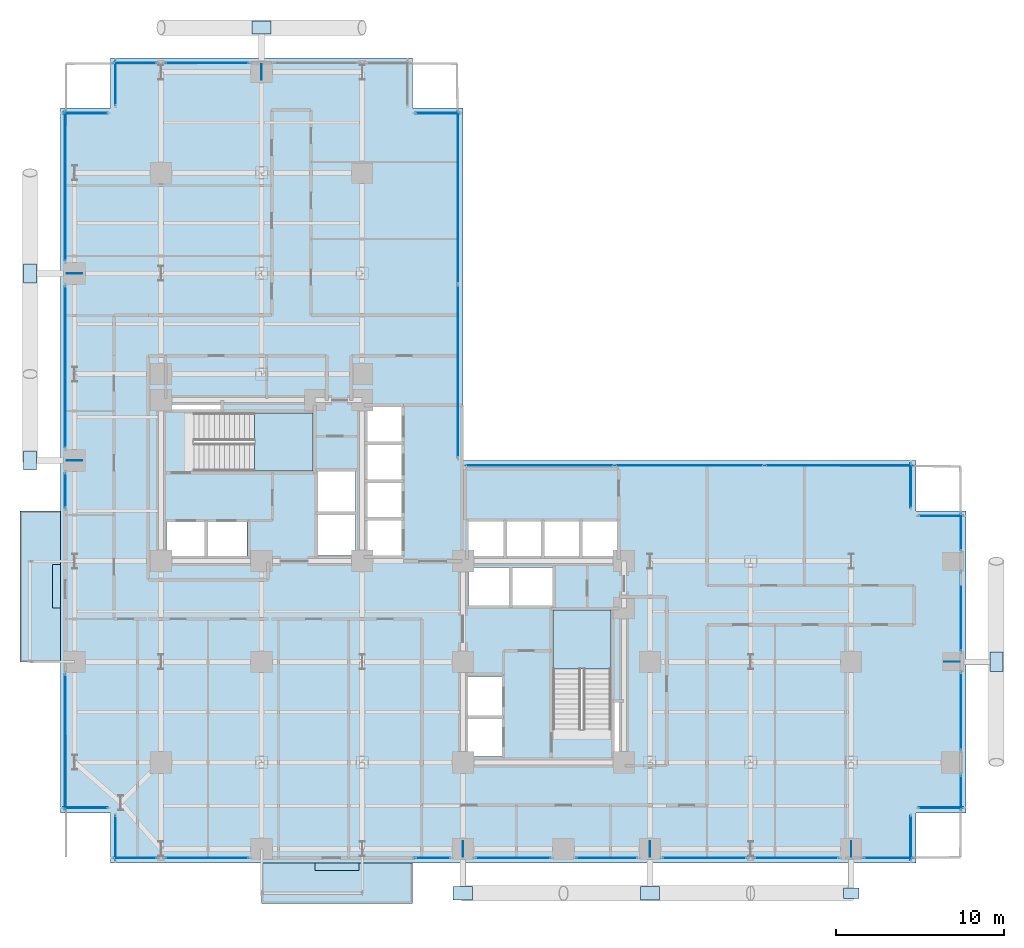
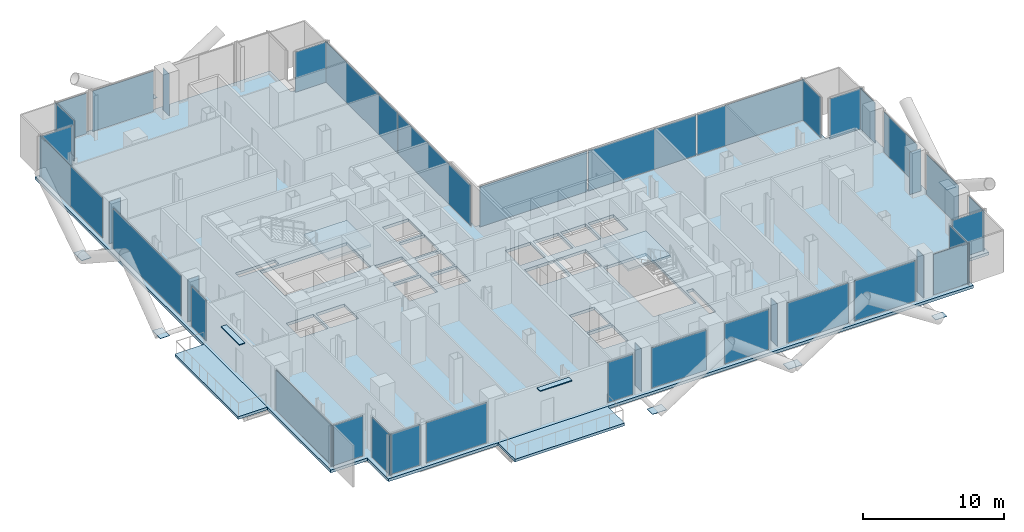
# One storey, part 17 of 25: 48 plates, 5 slabs, 31 elements without a shape of their own.
"""IFC4 building model written with IfcOpenShell, lengths in metres."""

from ifc_helpers import new_model, si_unit, direction, frame, origin, origin_2d, place, context, subcontext, project, spatial, polyline, rectangle, outline, extrude, material, layer, layer_set, type_object, element, aggregate, save


model = new_model("IFC4")

# Units and contexts
model_context = context("Model", 3, precision=1e-05, world=origin(), true_north=direction((0.0, 1.0)))
body_context = subcontext(model_context, "Body", "Model", "MODEL_VIEW")
ifc_project = project(units=[si_unit("LENGTHUNIT", "METRE"), si_unit("AREAUNIT", "SQUARE_METRE"), si_unit("VOLUMEUNIT", "CUBIC_METRE"), si_unit("PLANEANGLEUNIT", "RADIAN"), si_unit("MASSUNIT", "GRAM", prefix="KILO"), si_unit("THERMODYNAMICTEMPERATUREUNIT", "KELVIN"), si_unit("POWERUNIT", "WATT")], contexts=[model_context])

# Site, building, storey
site_placement = place(None, origin())
site = spatial("IfcSite", under=ifc_project, at=site_placement, CompositionType="ELEMENT")
building_placement = place(site_placement, origin())
building = spatial("IfcBuilding", under=site, at=building_placement, Name="Svarakhadi Broadcast Tower", CompositionType="ELEMENT")
storey_placement = place(building_placement, frame((0.0, 0.0, 51.89990234375)))
storey = spatial("IfcBuildingStorey", under=building, at=storey_placement, Name="L11", CompositionType="ELEMENT", Elevation=51.89990234375)

# Curtain wall, plate
ifc_material_1 = material(Name="Anodised Bronze Aluminium AA 6063-T6", Category="aluminium")
ifc_layer_1 = layer(ifc_material_1, 0.219970703125)
ifc_layer_set_1 = layer_set([ifc_layer_1], Name="Anodised Bronze Aluminium AA 6063-T6")
curtain_wall_type = type_object("IfcCurtainWallType", Name="CW_Sys_02", PredefinedType="NOTDEFINED", material=ifc_layer_set_1)
curtain_wall_1_placement = place(storey_placement, origin())
curtain_wall_1 = element("IfcCurtainWall", 1, at=curtain_wall_1_placement, inside=storey, type_object=curtain_wall_type, Name="L11 Unitised Facade Curtain Wall 01", PredefinedType="NOTDEFINED")
ifc_material_2 = material(Name="Double Low-E Laminated Acoustic Glass IGU 36 mm", Category="glass")
ifc_layer_2 = layer(ifc_material_2, 0.035888671875)
ifc_layer_set_2 = layer_set([ifc_layer_2], Name="Double Low-E Laminated Acoustic Glass IGU 36 mm")
plate_type_1 = type_object("IfcPlateType", Name="CW_Sys_02_Pnl", PredefinedType="CURTAIN_PANEL", material=ifc_layer_set_2)
plate_1_placement = place(storey_placement, frame((1.5, 3.300048828125, 0.0751953125), z_axis=(0.0, 0.0, 1.0), x_axis=(-1.0, 0.0, 0.0)))
plate_1 = element("IfcPlate", 2, at=plate_1_placement, type_object=plate_type_1, Name="CW-02 panel 1.1", PredefinedType="CURTAIN_PANEL", context=body_context, shape_type="SweptSolid", body=[
    extrude(rectangle(XDim=2.64990234375, YDim=0.035888671875, at=origin_2d()), origin(), (0.0, 0.0, 1.0), 3.5),
])
aggregate(curtain_wall_1, [plate_1])

curtain_wall_2_placement = place(storey_placement, origin())
curtain_wall_2 = element("IfcCurtainWall", 3, at=curtain_wall_2_placement, inside=storey, type_object=curtain_wall_type, Name="L11 West Curtain Wall 02", PredefinedType="NOTDEFINED")
plate_2_placement = place(storey_placement, frame((0.300048828125, 7.2099609375, 0.0751953125), z_axis=(0.0, 0.0, 1.0), x_axis=(0.0, 1.0, 0.0)))
plate_2 = element("IfcPlate", 4, at=plate_2_placement, type_object=plate_type_1, Name="CW-02 panel 1.1", PredefinedType="CURTAIN_PANEL", context=body_context, shape_type="SweptSolid", body=[
    extrude(rectangle(XDim=8.070068359375, YDim=0.035888671875, at=origin_2d()), origin(), (0.0, 0.0, 1.0), 3.5),
])
aggregate(curtain_wall_2, [plate_2])

curtain_wall_3_placement = place(storey_placement, origin())
curtain_wall_3 = element("IfcCurtainWall", 5, at=curtain_wall_3_placement, inside=storey, type_object=curtain_wall_type, Name="L11 West Curtain Wall 03 Bay 1", PredefinedType="NOTDEFINED")
plate_3_placement = place(storey_placement, frame((0.300048828125, 22.2099609375, 0.0751953125), z_axis=(0.0, 0.0, 1.0), x_axis=(0.0, 1.0, 0.0)))
plate_3 = element("IfcPlate", 6, at=plate_3_placement, type_object=plate_type_1, Name="CW-02 panel 1.1", PredefinedType="CURTAIN_PANEL", context=body_context, shape_type="SweptSolid", body=[
    extrude(rectangle(XDim=2.070068359375, YDim=0.035888671875, at=origin_2d()), origin(), (0.0, 0.0, 1.0), 3.5),
])
aggregate(curtain_wall_3, [plate_3])

curtain_wall_4_placement = place(storey_placement, origin())
curtain_wall_4 = element("IfcCurtainWall", 7, at=curtain_wall_4_placement, inside=storey, type_object=curtain_wall_type, Name="L11 West Curtain Wall 03 Bay 2", PredefinedType="NOTDEFINED")
plate_4_placement = place(storey_placement, frame((0.300048828125, 29.574951171875, 0.0751953125), z_axis=(0.0, 0.0, 1.0), x_axis=(0.0, 1.0, 0.0)))
plate_4 = element("IfcPlate", 8, at=plate_4_placement, type_object=plate_type_1, Name="CW-02 panel 1.1", PredefinedType="CURTAIN_PANEL", context=body_context, shape_type="SweptSolid", body=[
    extrude(rectangle(XDim=9.639892578125, YDim=0.035888671875, at=origin_2d()), origin(), (0.0, 0.0, 1.0), 3.5),
])
aggregate(curtain_wall_4, [plate_4])

curtain_wall_5_placement = place(storey_placement, origin())
curtain_wall_5 = element("IfcCurtainWall", 9, at=curtain_wall_5_placement, inside=storey, type_object=curtain_wall_type, Name="L11 West Curtain Wall 03 Bay 3", PredefinedType="NOTDEFINED")
plate_5_placement = place(storey_placement, frame((0.300048828125, 40.364990234375, 0.0751953125), z_axis=(0.0, 0.0, 1.0), x_axis=(0.0, 1.0, 0.0)))
plate_5 = element("IfcPlate", 10, at=plate_5_placement, type_object=plate_type_1, Name="CW-02 panel 1.1", PredefinedType="CURTAIN_PANEL", context=body_context, shape_type="SweptSolid", body=[
    extrude(rectangle(XDim=8.919921875, YDim=0.035888671875, at=origin_2d()), origin(), (0.0, 0.0, 1.0), 3.5),
])
aggregate(curtain_wall_5, [plate_5])

curtain_wall_6_placement = place(storey_placement, origin())
curtain_wall_6 = element("IfcCurtainWall", 11, at=curtain_wall_6_placement, inside=storey, type_object=curtain_wall_type, Name="L11 Unitised Facade Curtain Wall 04", PredefinedType="NOTDEFINED")
plate_6_placement = place(storey_placement, frame((1.5, 44.699951171875, 0.0751953125), z_axis=(0.0, 0.0, 1.0), x_axis=(1.0, 0.0, 0.0)))
plate_6 = element("IfcPlate", 12, at=plate_6_placement, type_object=plate_type_1, Name="CW-02 panel 1.1", PredefinedType="CURTAIN_PANEL", context=body_context, shape_type="SweptSolid", body=[
    extrude(rectangle(XDim=2.64990234375, YDim=0.035888671875, at=origin_2d()), origin(), (0.0, 0.0, 1.0), 3.5),
])
aggregate(curtain_wall_6, [plate_6])

curtain_wall_7_placement = place(storey_placement, origin())
curtain_wall_7 = element("IfcCurtainWall", 13, at=curtain_wall_7_placement, inside=storey, type_object=curtain_wall_type, Name="L11 Unitised Facade Curtain Wall 05", PredefinedType="NOTDEFINED")
plate_7_placement = place(storey_placement, frame((3.300048828125, 46.5, 0.0751953125), z_axis=(0.0, 0.0, 1.0), x_axis=(0.0, 1.0, 0.0)))
plate_7 = element("IfcPlate", 14, at=plate_7_placement, type_object=plate_type_1, Name="CW-02 panel 1.1", PredefinedType="CURTAIN_PANEL", context=body_context, shape_type="SweptSolid", body=[
    extrude(rectangle(XDim=2.64990234375, YDim=0.035888671875, at=origin_2d()), origin(), (0.0, 0.0, 1.0), 3.5),
])
aggregate(curtain_wall_7, [plate_7])

curtain_wall_8_placement = place(storey_placement, origin())
curtain_wall_8 = element("IfcCurtainWall", 15, at=curtain_wall_8_placement, inside=storey, type_object=curtain_wall_type, Name="L11 Unitised Facade Curtain Wall 06 Bay 1", PredefinedType="NOTDEFINED")
plate_8_placement = place(storey_placement, frame((4.4599609375, 47.699951171875, 0.0751953125), z_axis=(0.0, 0.0, 1.0), x_axis=(1.0, 0.0, 0.0)))
plate_8 = element("IfcPlate", 16, at=plate_8_placement, type_object=plate_type_1, Name="CW-02 panel 1.1", PredefinedType="CURTAIN_PANEL", context=body_context, shape_type="SweptSolid", body=[
    extrude(rectangle(XDim=2.570068359375, YDim=0.035888671875, at=origin_2d()), origin(), (0.0, 0.0, 1.0), 3.5),
])
aggregate(curtain_wall_8, [plate_8])

curtain_wall_9_placement = place(storey_placement, origin())
curtain_wall_9 = element("IfcCurtainWall", 17, at=curtain_wall_9_placement, inside=storey, type_object=curtain_wall_type, Name="L11 Unitised Facade Curtain Wall 06 Bay 2", PredefinedType="NOTDEFINED")
plate_9_placement = place(storey_placement, frame((8.75, 47.699951171875, 0.0751953125), z_axis=(0.0, 0.0, 1.0), x_axis=(1.0, 0.0, 0.0)))
plate_9 = element("IfcPlate", 18, at=plate_9_placement, type_object=plate_type_1, Name="CW-02 panel 1.1", PredefinedType="CURTAIN_PANEL", context=body_context, shape_type="SweptSolid", body=[
    extrude(rectangle(XDim=4.989990234375, YDim=0.035888671875, at=origin_2d()), origin(), (0.0, 0.0, 1.0), 3.5),
])
aggregate(curtain_wall_9, [plate_9])

curtain_wall_10_placement = place(storey_placement, origin())
curtain_wall_10 = element("IfcCurtainWall", 19, at=curtain_wall_10_placement, inside=storey, type_object=curtain_wall_type, Name="L11 Unitised Facade Curtain Wall 08", PredefinedType="NOTDEFINED")
plate_10_placement = place(storey_placement, frame((22.5, 44.699951171875, 0.0751953125), z_axis=(0.0, 0.0, 1.0), x_axis=(1.0, 0.0, 0.0)))
plate_10 = element("IfcPlate", 20, at=plate_10_placement, type_object=plate_type_1, Name="CW-02 panel 1.1", PredefinedType="CURTAIN_PANEL", context=body_context, shape_type="SweptSolid", body=[
    extrude(rectangle(XDim=2.64990234375, YDim=0.035888671875, at=origin_2d()), origin(), (0.0, 0.0, 1.0), 3.5),
])
aggregate(curtain_wall_10, [plate_10])

# Curtain wall, plates
curtain_wall_11_placement = place(storey_placement, origin())
curtain_wall_11 = element("IfcCurtainWall", 21, at=curtain_wall_11_placement, inside=storey, type_object=curtain_wall_type, Name="L11 Unitised Facade Curtain Wall 09", PredefinedType="NOTDEFINED")
plate_11_placement = place(storey_placement, frame((23.699951171875, 39.683837890625, 0.0751953125), z_axis=(0.0, 0.0, 1.0), x_axis=(0.0, -1.0, 0.0)))
plate_11 = element("IfcPlate", 22, at=plate_11_placement, type_object=plate_type_1, Name="CW-02 panel 1.1", PredefinedType="CURTAIN_PANEL", context=body_context, shape_type="SweptSolid", body=[
    extrude(rectangle(XDim=10.282470703125, YDim=0.035888671875, at=origin_2d()), origin(), (0.0, 0.0, 1.0), 3.5),
])
plate_12_placement = place(storey_placement, frame((23.699951171875, 29.316162109375, 0.0751953125), z_axis=(0.0, 0.0, 1.0), x_axis=(0.0, -1.0, 0.0)))
plate_12 = element("IfcPlate", 23, at=plate_12_placement, type_object=plate_type_1, Name="CW-02 panel 2.1", PredefinedType="CURTAIN_PANEL", context=body_context, shape_type="SweptSolid", body=[
    extrude(rectangle(XDim=10.282470703125, YDim=0.035888671875, at=origin_2d()), origin(), (0.0, 0.0, 1.0), 3.5),
])
aggregate(curtain_wall_11, [plate_11, plate_12])

curtain_wall_12_placement = place(storey_placement, origin())
curtain_wall_12 = element("IfcCurtainWall", 24, at=curtain_wall_12_placement, inside=storey, type_object=curtain_wall_type, Name="L11 Unitised Facade Curtain Wall 10", PredefinedType="NOTDEFINED")
plate_13_placement = place(storey_placement, frame((28.581298828125, 23.699951171875, 0.0751953125), z_axis=(0.0, 0.0, 1.0), x_axis=(1.0, 0.0, 0.0)))
plate_13 = element("IfcPlate", 25, at=plate_13_placement, type_object=plate_type_1, Name="CW-02 panel 1.1", PredefinedType="CURTAIN_PANEL", context=body_context, shape_type="SweptSolid", body=[
    extrude(rectangle(XDim=8.8125, YDim=0.035888671875, at=origin_2d()), origin(), (0.0, 0.0, 1.0), 3.5),
])
plate_14_placement = place(storey_placement, frame((37.5, 23.699951171875, 0.0751953125), z_axis=(0.0, 0.0, 1.0), x_axis=(1.0, 0.0, 0.0)))
plate_14 = element("IfcPlate", 26, at=plate_14_placement, type_object=plate_type_1, Name="CW-02 panel 2.1", PredefinedType="CURTAIN_PANEL", context=body_context, shape_type="SweptSolid", body=[
    extrude(rectangle(XDim=8.85498046875, YDim=0.035888671875, at=origin_2d()), origin(), (0.0, 0.0, 1.0), 3.5),
])
plate_15_placement = place(storey_placement, frame((46.418701171875, 23.699951171875, 0.0751953125), z_axis=(0.0, 0.0, 1.0), x_axis=(1.0, 0.0, 0.0)))
plate_15 = element("IfcPlate", 27, at=plate_15_placement, type_object=plate_type_1, Name="CW-02 panel 3.1", PredefinedType="CURTAIN_PANEL", context=body_context, shape_type="SweptSolid", body=[
    extrude(rectangle(XDim=8.8125, YDim=0.035888671875, at=origin_2d()), origin(), (0.0, 0.0, 1.0), 3.5),
])
aggregate(curtain_wall_12, [plate_13, plate_14, plate_15])

# Curtain wall, plate
curtain_wall_13_placement = place(storey_placement, origin())
curtain_wall_13 = element("IfcCurtainWall", 28, at=curtain_wall_13_placement, inside=storey, type_object=curtain_wall_type, Name="L11 Unitised Facade Curtain Wall 11", PredefinedType="NOTDEFINED")
plate_16_placement = place(storey_placement, frame((50.699951171875, 22.5, 0.0751953125), z_axis=(0.0, 0.0, 1.0), x_axis=(0.0, -1.0, 0.0)))
plate_16 = element("IfcPlate", 29, at=plate_16_placement, type_object=plate_type_1, Name="CW-02 panel 1.1", PredefinedType="CURTAIN_PANEL", context=body_context, shape_type="SweptSolid", body=[
    extrude(rectangle(XDim=2.64990234375, YDim=0.035888671875, at=origin_2d()), origin(), (0.0, 0.0, 1.0), 3.5),
])
aggregate(curtain_wall_13, [plate_16])

curtain_wall_14_placement = place(storey_placement, origin())
curtain_wall_14 = element("IfcCurtainWall", 30, at=curtain_wall_14_placement, inside=storey, type_object=curtain_wall_type, Name="L11 Unitised Facade Curtain Wall 12", PredefinedType="NOTDEFINED")
plate_17_placement = place(storey_placement, frame((52.5, 20.699951171875, 0.0751953125), z_axis=(0.0, 0.0, 1.0), x_axis=(1.0, 0.0, 0.0)))
plate_17 = element("IfcPlate", 31, at=plate_17_placement, type_object=plate_type_1, Name="CW-02 panel 1.1", PredefinedType="CURTAIN_PANEL", context=body_context, shape_type="SweptSolid", body=[
    extrude(rectangle(XDim=2.64990234375, YDim=0.035888671875, at=origin_2d()), origin(), (0.0, 0.0, 1.0), 3.5),
])
aggregate(curtain_wall_14, [plate_17])

curtain_wall_15_placement = place(storey_placement, origin())
curtain_wall_15 = element("IfcCurtainWall", 32, at=curtain_wall_15_placement, inside=storey, type_object=curtain_wall_type, Name="L11 Unitised Facade Curtain Wall 13 Bay 1", PredefinedType="NOTDEFINED")
plate_18_placement = place(storey_placement, frame((53.699951171875, 19.739990234375, 0.0751953125), z_axis=(0.0, 0.0, 1.0), x_axis=(0.0, -1.0, 0.0)))
plate_18 = element("IfcPlate", 33, at=plate_18_placement, type_object=plate_type_1, Name="CW-02 panel 1.1", PredefinedType="CURTAIN_PANEL", context=body_context, shape_type="SweptSolid", body=[
    extrude(rectangle(XDim=2.169921875, YDim=0.035888671875, at=origin_2d()), origin(), (0.0, 0.0, 1.0), 3.5),
])
aggregate(curtain_wall_15, [plate_18])

curtain_wall_16_placement = place(storey_placement, origin())
curtain_wall_16 = element("IfcCurtainWall", 34, at=curtain_wall_16_placement, inside=storey, type_object=curtain_wall_type, Name="L11 Unitised Facade Curtain Wall 13 Bay 2", PredefinedType="NOTDEFINED")
plate_19_placement = place(storey_placement, frame((53.699951171875, 15.0, 0.0751953125), z_axis=(0.0, 0.0, 1.0), x_axis=(0.0, -1.0, 0.0)))
plate_19 = element("IfcPlate", 35, at=plate_19_placement, type_object=plate_type_1, Name="CW-02 panel 1.1", PredefinedType="CURTAIN_PANEL", context=body_context, shape_type="SweptSolid", body=[
    extrude(rectangle(XDim=4.68994140625, YDim=0.035888671875, at=origin_2d()), origin(), (0.0, 0.0, 1.0), 3.5),
])
aggregate(curtain_wall_16, [plate_19])

curtain_wall_17_placement = place(storey_placement, origin())
curtain_wall_17 = element("IfcCurtainWall", 36, at=curtain_wall_17_placement, inside=storey, type_object=curtain_wall_type, Name="L11 Unitised Facade Curtain Wall 13 Bay 3", PredefinedType="NOTDEFINED")
plate_20_placement = place(storey_placement, frame((53.699951171875, 9.050048828125, 0.0751953125), z_axis=(0.0, 0.0, 1.0), x_axis=(0.0, -1.0, 0.0)))
plate_20 = element("IfcPlate", 37, at=plate_20_placement, type_object=plate_type_1, Name="CW-02 panel 1.1", PredefinedType="CURTAIN_PANEL", context=body_context, shape_type="SweptSolid", body=[
    extrude(rectangle(XDim=4.590087890625, YDim=0.035888671875, at=origin_2d()), origin(), (0.0, 0.0, 1.0), 3.5),
])
aggregate(curtain_wall_17, [plate_20])

curtain_wall_18_placement = place(storey_placement, origin())
curtain_wall_18 = element("IfcCurtainWall", 38, at=curtain_wall_18_placement, inside=storey, type_object=curtain_wall_type, Name="L11 Unitised Facade Curtain Wall 13 Bay 4", PredefinedType="NOTDEFINED")
plate_21_placement = place(storey_placement, frame((53.699951171875, 4.2099609375, 0.0751953125), z_axis=(0.0, 0.0, 1.0), x_axis=(0.0, -1.0, 0.0)))
plate_21 = element("IfcPlate", 39, at=plate_21_placement, type_object=plate_type_1, Name="CW-02 panel 1.1", PredefinedType="CURTAIN_PANEL", context=body_context, shape_type="SweptSolid", body=[
    extrude(rectangle(XDim=2.070068359375, YDim=0.035888671875, at=origin_2d()), origin(), (0.0, 0.0, 1.0), 3.5),
])
aggregate(curtain_wall_18, [plate_21])

curtain_wall_19_placement = place(storey_placement, origin())
curtain_wall_19 = element("IfcCurtainWall", 40, at=curtain_wall_19_placement, inside=storey, type_object=curtain_wall_type, Name="L11 Unitised Facade Curtain Wall 14", PredefinedType="NOTDEFINED")
plate_22_placement = place(storey_placement, frame((52.5, 3.300048828125, 0.0751953125), z_axis=(0.0, 0.0, 1.0), x_axis=(-1.0, 0.0, 0.0)))
plate_22 = element("IfcPlate", 41, at=plate_22_placement, type_object=plate_type_1, Name="CW-02 panel 1.1", PredefinedType="CURTAIN_PANEL", context=body_context, shape_type="SweptSolid", body=[
    extrude(rectangle(XDim=2.64990234375, YDim=0.035888671875, at=origin_2d()), origin(), (0.0, 0.0, 1.0), 3.5),
])
aggregate(curtain_wall_19, [plate_22])

curtain_wall_20_placement = place(storey_placement, origin())
curtain_wall_20 = element("IfcCurtainWall", 42, at=curtain_wall_20_placement, inside=storey, type_object=curtain_wall_type, Name="L11 Unitised Facade Curtain Wall 15", PredefinedType="NOTDEFINED")
plate_23_placement = place(storey_placement, frame((50.699951171875, 1.5, 0.0751953125), z_axis=(0.0, 0.0, 1.0), x_axis=(0.0, -1.0, 0.0)))
plate_23 = element("IfcPlate", 43, at=plate_23_placement, type_object=plate_type_1, Name="CW-02 panel 1.1", PredefinedType="CURTAIN_PANEL", context=body_context, shape_type="SweptSolid", body=[
    extrude(rectangle(XDim=2.64990234375, YDim=0.035888671875, at=origin_2d()), origin(), (0.0, 0.0, 1.0), 3.5),
])
aggregate(curtain_wall_20, [plate_23])

curtain_wall_21_placement = place(storey_placement, origin())
curtain_wall_21 = element("IfcCurtainWall", 44, at=curtain_wall_21_placement, inside=storey, type_object=curtain_wall_type, Name="L11 South Curtain Wall 16 Bay 1", PredefinedType="NOTDEFINED")
plate_24_placement = place(storey_placement, frame((49.364990234375, 0.300048828125, 0.0751953125), z_axis=(0.0, 0.0, 1.0), x_axis=(-1.0, 0.0, 0.0)))
plate_24 = element("IfcPlate", 45, at=plate_24_placement, type_object=plate_type_1, Name="CW-02 panel 1.1", PredefinedType="CURTAIN_PANEL", context=body_context, shape_type="SweptSolid", body=[
    extrude(rectangle(XDim=2.919921875, YDim=0.035888671875, at=origin_2d()), origin(), (0.0, 0.0, 1.0), 3.5),
])
aggregate(curtain_wall_21, [plate_24])

curtain_wall_22_placement = place(storey_placement, origin())
curtain_wall_22 = element("IfcCurtainWall", 46, at=curtain_wall_22_placement, inside=storey, type_object=curtain_wall_type, Name="L11 South Curtain Wall 16 Bay 2", PredefinedType="NOTDEFINED")
plate_25_placement = place(storey_placement, frame((43.89990234375, 0.300048828125, 0.0751953125), z_axis=(0.0, 0.0, 1.0), x_axis=(-1.0, 0.0, 0.0)))
plate_25 = element("IfcPlate", 47, at=plate_25_placement, type_object=plate_type_1, Name="CW-02 panel 1.1", PredefinedType="CURTAIN_PANEL", context=body_context, shape_type="SweptSolid", body=[
    extrude(rectangle(XDim=4.989990234375, YDim=0.035888671875, at=origin_2d()), origin(), (0.0, 0.0, 1.0), 3.5),
])
aggregate(curtain_wall_22, [plate_25])

curtain_wall_23_placement = place(storey_placement, origin())
curtain_wall_23 = element("IfcCurtainWall", 48, at=curtain_wall_23_placement, inside=storey, type_object=curtain_wall_type, Name="L11 South Curtain Wall 16 Bay 3", PredefinedType="NOTDEFINED")
plate_26_placement = place(storey_placement, frame((38.39990234375, 0.300048828125, 0.0751953125), z_axis=(0.0, 0.0, 1.0), x_axis=(-1.0, 0.0, 0.0)))
plate_26 = element("IfcPlate", 49, at=plate_26_placement, type_object=plate_type_1, Name="CW-02 panel 1.1", PredefinedType="CURTAIN_PANEL", context=body_context, shape_type="SweptSolid", body=[
    extrude(rectangle(XDim=4.989990234375, YDim=0.035888671875, at=origin_2d()), origin(), (0.0, 0.0, 1.0), 3.5),
])
aggregate(curtain_wall_23, [plate_26])

curtain_wall_24_placement = place(storey_placement, origin())
curtain_wall_24 = element("IfcCurtainWall", 50, at=curtain_wall_24_placement, inside=storey, type_object=curtain_wall_type, Name="L11 South Curtain Wall 16 Bay 4", PredefinedType="NOTDEFINED")
plate_27_placement = place(storey_placement, frame((32.574951171875, 0.300048828125, 0.0751953125), z_axis=(0.0, 0.0, 1.0), x_axis=(-1.0, 0.0, 0.0)))
plate_27 = element("IfcPlate", 51, at=plate_27_placement, type_object=plate_type_1, Name="CW-02 panel 1.1", PredefinedType="CURTAIN_PANEL", context=body_context, shape_type="SweptSolid", body=[
    extrude(rectangle(XDim=3.639892578125, YDim=0.035888671875, at=origin_2d()), origin(), (0.0, 0.0, 1.0), 3.5),
])
aggregate(curtain_wall_24, [plate_27])

curtain_wall_25_placement = place(storey_placement, origin())
curtain_wall_25 = element("IfcCurtainWall", 52, at=curtain_wall_25_placement, inside=storey, type_object=curtain_wall_type, Name="L11 South Curtain Wall 16 Bay 5", PredefinedType="NOTDEFINED")
plate_28_placement = place(storey_placement, frame((27.0, 0.300048828125, 0.0751953125), z_axis=(0.0, 0.0, 1.0), x_axis=(-1.0, 0.0, 0.0)))
plate_28 = element("IfcPlate", 53, at=plate_28_placement, type_object=plate_type_1, Name="CW-02 panel 1.1", PredefinedType="CURTAIN_PANEL", context=body_context, shape_type="SweptSolid", body=[
    extrude(rectangle(XDim=4.489990234375, YDim=0.035888671875, at=origin_2d()), origin(), (0.0, 0.0, 1.0), 3.5),
])
aggregate(curtain_wall_25, [plate_28])

curtain_wall_26_placement = place(storey_placement, origin())
curtain_wall_26 = element("IfcCurtainWall", 54, at=curtain_wall_26_placement, inside=storey, type_object=curtain_wall_type, Name="L11 South Curtain Wall 16 Bay 6", PredefinedType="NOTDEFINED")
plate_29_placement = place(storey_placement, frame((22.2099609375, 0.300048828125, 0.0751953125), z_axis=(0.0, 0.0, 1.0), x_axis=(-1.0, 0.0, 0.0)))
plate_29 = element("IfcPlate", 55, at=plate_29_placement, type_object=plate_type_1, Name="CW-02 panel 1.1", PredefinedType="CURTAIN_PANEL", context=body_context, shape_type="SweptSolid", body=[
    extrude(rectangle(XDim=2.070068359375, YDim=0.035888671875, at=origin_2d()), origin(), (0.0, 0.0, 1.0), 3.5),
])
aggregate(curtain_wall_26, [plate_29])

curtain_wall_27_placement = place(storey_placement, origin())
curtain_wall_27 = element("IfcCurtainWall", 56, at=curtain_wall_27_placement, inside=storey, type_object=curtain_wall_type, Name="L11 South Curtain Wall 17 Bay 1", PredefinedType="NOTDEFINED")
plate_30_placement = place(storey_placement, frame((8.75, 0.300048828125, 0.0751953125), z_axis=(0.0, 0.0, 1.0), x_axis=(-1.0, 0.0, 0.0)))
plate_30 = element("IfcPlate", 57, at=plate_30_placement, type_object=plate_type_1, Name="CW-02 panel 1.1", PredefinedType="CURTAIN_PANEL", context=body_context, shape_type="SweptSolid", body=[
    extrude(rectangle(XDim=4.989990234375, YDim=0.035888671875, at=origin_2d()), origin(), (0.0, 0.0, 1.0), 3.5),
])
aggregate(curtain_wall_27, [plate_30])

curtain_wall_28_placement = place(storey_placement, origin())
curtain_wall_28 = element("IfcCurtainWall", 58, at=curtain_wall_28_placement, inside=storey, type_object=curtain_wall_type, Name="L11 South Curtain Wall 17 Bay 2", PredefinedType="NOTDEFINED")
plate_31_placement = place(storey_placement, frame((4.4599609375, 0.300048828125, 0.0751953125), z_axis=(0.0, 0.0, 1.0), x_axis=(-1.0, 0.0, 0.0)))
plate_31 = element("IfcPlate", 59, at=plate_31_placement, type_object=plate_type_1, Name="CW-02 panel 1.1", PredefinedType="CURTAIN_PANEL", context=body_context, shape_type="SweptSolid", body=[
    extrude(rectangle(XDim=2.570068359375, YDim=0.035888671875, at=origin_2d()), origin(), (0.0, 0.0, 1.0), 3.5),
])
aggregate(curtain_wall_28, [plate_31])

curtain_wall_29_placement = place(storey_placement, origin())
curtain_wall_29 = element("IfcCurtainWall", 60, at=curtain_wall_29_placement, inside=storey, type_object=curtain_wall_type, Name="L11 Unitised Facade Curtain Wall 18", PredefinedType="NOTDEFINED")
plate_32_placement = place(storey_placement, frame((3.300048828125, 1.5, 0.0751953125), z_axis=(0.0, 0.0, 1.0), x_axis=(0.0, 1.0, 0.0)))
plate_32 = element("IfcPlate", 61, at=plate_32_placement, type_object=plate_type_1, Name="CW-02 panel 1.1", PredefinedType="CURTAIN_PANEL", context=body_context, shape_type="SweptSolid", body=[
    extrude(rectangle(XDim=2.64990234375, YDim=0.035888671875, at=origin_2d()), origin(), (0.0, 0.0, 1.0), 3.5),
])
aggregate(curtain_wall_29, [plate_32])

# Plates
ifc_material_3 = material(Name="Steel S460ML (IS 2062 E450BR)", Category="steel")
ifc_layer_3 = layer(ifc_material_3, 0.035888671875)
ifc_layer_set_3 = layer_set([ifc_layer_3], Name="Steel S460ML (IS 2062 E450BR)")
plate_type_2 = type_object("IfcPlateType", Name="Node_Gusset_N01", PredefinedType="SHEET", material=ifc_layer_set_3)
for number, where, z_axis, x_axis, name in (
    (62, (24.0, -1.800048828125, -0.25), (0.0, 0.0, 1.0), (1.0, 0.0, 0.0), "L11 Exoskeleton Gusset Node Plate S01"),
    (63, (35.14990234375, -1.800048828125, -0.25), (0.0, 0.0, 1.0), (1.0, 0.0, 0.0), "L11 Exoskeleton Gusset Node Plate S02"),
    (64, (-1.800048828125, 24.0, -0.25), (0.0, 0.0, 1.0), (0.0, 1.0, 0.0), "L11 Exoskeleton Gusset Node Plate W04"),
    (65, (-1.800048828125, 35.14990234375, -0.25), (0.0, 0.0, 1.0), (0.0, 1.0, 0.0), "L11 Exoskeleton Gusset Node Plate W05"),
    (66, (55.800048828125, 12.0, -0.25), (0.0, 0.0, 1.0), (0.0, 1.0, 0.0), "L11 Exoskeleton Gusset Node Plate E06"),
    (67, (12.0, 49.800048828125, -0.25), (0.0, 0.0, 1.0), (1.0, 0.0, 0.0), "L11 Exoskeleton Gusset Node Plate N07"),
):
    element("IfcPlate", number, at=place(storey_placement, frame(where, z_axis=z_axis, x_axis=x_axis)), inside=storey, type_object=plate_type_2, Name=name, PredefinedType="SHEET", context=body_context, shape_type="SweptSolid", body=[
        extrude(rectangle(XDim=1.14990234375, YDim=0.780029296875, at=origin_2d()), origin(), (0.0, 0.0, 1.0), 0.035888671875),
    ])
ifc_layer_4 = layer(ifc_material_3, 0.02587890625)
ifc_layer_set_4 = layer_set([ifc_layer_4], Name="Steel S460ML (IS 2062 E450BR)")
plate_type_3 = type_object("IfcPlateType", Name="Node_Gusset_N07", PredefinedType="SHEET", material=ifc_layer_set_4)
plate_33_placement = place(storey_placement, frame((47.14990234375, -1.800048828125, -0.249755859375), z_axis=(0.0, 0.0, 1.0), x_axis=(1.0, 0.0, 0.0)))
element("IfcPlate", 68, at=plate_33_placement, inside=storey, type_object=plate_type_3, Name="L11 Exoskeleton Gusset Node Plate S03", PredefinedType="SHEET", context=body_context, shape_type="SweptSolid", body=[
    extrude(rectangle(XDim=0.919921875, YDim=0.6201171875, at=origin_2d()), origin(), (0.0, 0.0, 1.0), 0.02587890625),
])
for number, where, z_axis, x_axis, name in (
    (69, (24.0, 0.85009765625, -0.6279296875), (0.0, 0.0, 1.0), (0.0, 1.0, 0.0), "L11 Brace End Connection Gusset Plate N-07-E0065"),
    (70, (35.14990234375, 0.85009765625, -0.6279296875), (0.0, 0.0, 1.0), (0.0, 1.0, 0.0), "L11 Brace End Connection Gusset Plate N-07-E0066"),
    (71, (47.14990234375, 0.85009765625, -0.6279296875), (0.0, 0.0, 1.0), (0.0, 1.0, 0.0), "L11 Brace End Connection Gusset Plate N-07-E0067"),
    (72, (0.85009765625, 24.0, -0.6279296875), (0.0, 0.0, 1.0), (1.0, 0.0, 0.0), "L11 Brace End Connection Gusset Plate N-07-E0068"),
    (73, (0.85009765625, 35.14990234375, -0.6279296875), (0.0, 0.0, 1.0), (1.0, 0.0, 0.0), "L11 Brace End Connection Gusset Plate N-07-E0069"),
    (74, (53.14990234375, 12.0, -0.6279296875), (0.0, 0.0, 1.0), (1.0, 0.0, 0.0), "L11 Brace End Connection Gusset Plate N-07-E0070"),
    (75, (12.0, 47.14990234375, -0.6279296875), (0.0, 0.0, 1.0), (0.0, 1.0, 0.0), "L11 Brace End Connection Gusset Plate N-07-E0071"),
):
    element("IfcPlate", number, at=place(storey_placement, frame(where, z_axis=z_axis, x_axis=x_axis)), inside=storey, type_object=plate_type_3, Name=name, PredefinedType="SHEET", context=body_context, shape_type="SweptSolid", body=[
        extrude(rectangle(XDim=0.919921875, YDim=0.02587890625, at=origin_2d()), origin(), (0.0, 0.0, 1.0), 4.300048828125),
    ])

# Slab
ifc_material_4 = material(Name="Concrete C40/50 (IS 456 M50)", Category="concrete")
ifc_layer_5 = layer(ifc_material_4, 0.25)
ifc_layer_set_5 = layer_set([ifc_layer_5], Name="Concrete C40/50 (IS 456 M50)")
slab_type_1 = type_object("IfcSlabType", Name="Slab_Floor_250", PredefinedType="FLOOR", material=ifc_layer_set_5)
slab_1_placement = place(storey_placement, frame((0.0, 0.0, -0.25)))
element("IfcSlab", 76, at=slab_1_placement, inside=storey, type_object=slab_type_1, Name="L11 Structural Floor Slab", PredefinedType="FLOOR", context=body_context, shape_type="SweptSolid", body=[
    extrude(outline(polyline([(3.0, 0.0), (51.0, 0.0), (51.0, 3.0), (54.0, 3.0), (54.0, 21.0), (51.0, 21.0), (51.0, 24.0), (24.0, 24.0), (24.0, 45.0), (21.0, 45.0), (21.0, 48.0), (3.0, 48.0), (3.0, 45.0), (0.0, 45.0), (0.0, 3.0), (3.0, 3.0), (3.0, 0.0)]), holes=[polyline([(7.97998046875, 23.360107421875), (15.080078125, 23.360107421875), (15.080078125, 26.840087890625), (7.97998046875, 26.840087890625), (7.97998046875, 23.360107421875)]), polyline([(32.840087890625, 7.97998046875), (32.840087890625, 15.080078125), (29.360107421875, 15.080078125), (29.360107421875, 7.97998046875), (32.840087890625, 7.97998046875)]), polyline([(6.340087890625, 18.2900390625), (8.610107421875, 18.2900390625), (8.610107421875, 20.330078125), (6.340087890625, 20.330078125), (6.340087890625, 18.2900390625)]), polyline([(8.7900390625, 18.2900390625), (11.1298828125, 18.2900390625), (11.1298828125, 20.330078125), (8.7900390625, 20.330078125), (8.7900390625, 18.2900390625)]), polyline([(24.2900390625, 6.340087890625), (26.330078125, 6.340087890625), (26.330078125, 8.610107421875), (24.2900390625, 8.610107421875), (24.2900390625, 6.340087890625)]), polyline([(24.2900390625, 8.7900390625), (26.330078125, 8.7900390625), (26.330078125, 11.1298828125), (24.2900390625, 11.1298828125), (24.2900390625, 8.7900390625)]), polyline([(6.340087890625, 26.989990234375), (9.610107421875, 26.989990234375), (9.610107421875, 27.530029296875), (6.340087890625, 27.530029296875), (6.340087890625, 26.989990234375)]), polyline([(32.989990234375, 6.340087890625), (33.530029296875, 6.340087890625), (33.530029296875, 9.610107421875), (32.989990234375, 9.610107421875), (32.989990234375, 6.340087890625)]), polyline([(15.340087890625, 18.340087890625), (17.610107421875, 18.340087890625), (17.610107421875, 20.760009765625), (15.340087890625, 20.760009765625), (15.340087890625, 18.340087890625)]), polyline([(15.340087890625, 20.93994140625), (17.610107421875, 20.93994140625), (17.610107421875, 23.360107421875), (15.340087890625, 23.360107421875), (15.340087890625, 20.93994140625)]), polyline([(24.340087890625, 15.340087890625), (26.760009765625, 15.340087890625), (26.760009765625, 17.610107421875), (24.340087890625, 17.610107421875), (24.340087890625, 15.340087890625)]), polyline([(26.93994140625, 15.340087890625), (29.360107421875, 15.340087890625), (29.360107421875, 17.610107421875), (26.93994140625, 17.610107421875), (26.93994140625, 15.340087890625)]), polyline([(18.239990234375, 18.340087890625), (20.360107421875, 18.340087890625), (20.360107421875, 20.429931640625), (18.239990234375, 20.429931640625), (18.239990234375, 18.340087890625)]), polyline([(18.239990234375, 20.610107421875), (20.360107421875, 20.610107421875), (20.360107421875, 22.679931640625), (18.239990234375, 22.679931640625), (18.239990234375, 20.610107421875)]), polyline([(18.239990234375, 22.860107421875), (20.360107421875, 22.860107421875), (20.360107421875, 24.929931640625), (18.239990234375, 24.929931640625), (18.239990234375, 22.860107421875)]), polyline([(18.239990234375, 25.110107421875), (20.360107421875, 25.110107421875), (20.360107421875, 27.2099609375), (18.239990234375, 27.2099609375), (18.239990234375, 25.110107421875)]), polyline([(24.340087890625, 18.239990234375), (26.429931640625, 18.239990234375), (26.429931640625, 20.360107421875), (24.340087890625, 20.360107421875), (24.340087890625, 18.239990234375)]), polyline([(26.610107421875, 18.239990234375), (28.679931640625, 18.239990234375), (28.679931640625, 20.360107421875), (26.610107421875, 20.360107421875), (26.610107421875, 18.239990234375)]), polyline([(28.860107421875, 18.239990234375), (30.929931640625, 18.239990234375), (30.929931640625, 20.360107421875), (28.860107421875, 20.360107421875), (28.860107421875, 18.239990234375)]), polyline([(31.110107421875, 18.239990234375), (33.2099609375, 18.239990234375), (33.2099609375, 20.360107421875), (31.110107421875, 20.360107421875), (31.110107421875, 18.239990234375)])]), origin(), (0.0, 0.0, 1.0), 0.25),
])

# Stair, slab
stair_type = type_object("IfcStairType", Name="Stair_Exit_Core", PredefinedType="HALF_TURN_STAIR", material=ifc_material_4)
stair_1_placement = place(storey_placement, origin())
stair_1 = element("IfcStair", 77, at=stair_1_placement, inside=storey, type_object=stair_type, Name="L11 West Core Protected Exit Stair ST-01", PredefinedType="HALF_TURN_STAIR")
ifc_layer_6 = layer(ifc_material_4, 0.199951171875)
ifc_layer_set_6 = layer_set([ifc_layer_6], Name="Concrete C40/50 (IS 456 M50)")
slab_type_2 = type_object("IfcSlabType", Name="Slab_Stair_Land", PredefinedType="LANDING", material=ifc_layer_set_6)
slab_2_placement = place(storey_placement, frame((0.0, 0.0, 1.75)))
slab_2 = element("IfcSlab", 78, at=slab_2_placement, type_object=slab_type_2, Name="ST-01 landing 1", PredefinedType="LANDING", context=body_context, shape_type="SweptSolid", body=[
    extrude(outline(polyline([(11.580078125, 23.360107421875), (15.080078125, 23.360107421875), (15.080078125, 26.840087890625), (11.580078125, 26.840087890625), (11.580078125, 23.360107421875)])), origin(), (0.0, 0.0, 1.0), 0.2001953125),
])
aggregate(stair_1, [slab_2])

stair_2_placement = place(storey_placement, origin())
stair_2 = element("IfcStair", 79, at=stair_2_placement, inside=storey, type_object=stair_type, Name="L11 East Core Protected Exit Stair ST-02", PredefinedType="HALF_TURN_STAIR")
slab_3_placement = place(storey_placement, frame((0.0, 0.0, 1.75)))
slab_3 = element("IfcSlab", 80, at=slab_3_placement, type_object=slab_type_2, Name="ST-02 landing 1", PredefinedType="LANDING", context=body_context, shape_type="SweptSolid", body=[
    extrude(outline(polyline([(32.840087890625, 11.580078125), (32.840087890625, 15.080078125), (29.360107421875, 15.080078125), (29.360107421875, 11.580078125), (32.840087890625, 11.580078125)])), origin(), (0.0, 0.0, 1.0), 0.2001953125),
])
aggregate(stair_2, [slab_3])

# Slabs
ifc_layer_7 = layer(ifc_material_4, 0.22509765625)
ifc_layer_set_7 = layer_set([ifc_layer_7], Name="Concrete C40/50 (IS 456 M50)")
slab_type_3 = type_object("IfcSlabType", Name="Slab_TreeBalcony", PredefinedType="FLOOR", material=ifc_layer_set_7)
slab_4_placement = place(storey_placement, frame((0.0, 0.0, -0.224853515625)))
element("IfcSlab", 81, at=slab_4_placement, inside=storey, type_object=slab_type_3, Name="L11 Planted Tree Balcony Slab BAL-S", PredefinedType="FLOOR", context=body_context, shape_type="SweptSolid", body=[
    extrude(outline(polyline([(12.0, -2.39990234375), (21.0, -2.39990234375), (21.0, 0.0), (12.0, 0.0), (12.0, -2.39990234375)])), origin(), (0.0, 0.0, 1.0), 0.224853515625),
])
slab_5_placement = place(storey_placement, frame((0.0, 0.0, -0.224853515625)))
element("IfcSlab", 82, at=slab_5_placement, inside=storey, type_object=slab_type_3, Name="L11 Planted Tree Balcony Slab BAL-W", PredefinedType="FLOOR", context=body_context, shape_type="SweptSolid", body=[
    extrude(outline(polyline([(-2.39990234375, 12.0), (0.0, 12.0), (0.0, 21.0), (-2.39990234375, 21.0), (-2.39990234375, 12.0)])), origin(), (0.0, 0.0, 1.0), 0.224853515625),
])

# Plates
ifc_layer_8 = layer(ifc_material_1, 0.080078125)
ifc_layer_set_8 = layer_set([ifc_layer_8], Name="Anodised Bronze Aluminium AA 6063-T6")
plate_type_4 = type_object("IfcPlateType", Name="Sunshade_Fin_SS01", PredefinedType="USERDEFINED", material=ifc_layer_set_8)
for number, where, z_axis, x_axis, name in (
    (83, (16.5, -0.22509765625, 3.570068359375), (0.0, 0.0, 1.0), (1.0, 0.0, 0.0), "L11 South Bronze Brise-Soleil Sunshade SS-01"),
    (84, (-0.22509765625, 16.5, 3.570068359375), (0.0, 0.0, 1.0), (0.0, 1.0, 0.0), "L11 West Bronze Brise-Soleil Sunshade SS-01"),
):
    element("IfcPlate", number, at=place(storey_placement, frame(where, z_axis=z_axis, x_axis=x_axis)), inside=storey, type_object=plate_type_4, Name=name, ObjectType="SUNSHADE", PredefinedType="USERDEFINED", context=body_context, shape_type="SweptSolid", body=[
        extrude(rectangle(XDim=2.60009765625, YDim=0.449951171875, at=origin_2d()), origin(), (0.0, 0.0, 1.0), 0.080078125),
    ])

save(model, "model.ifc")
